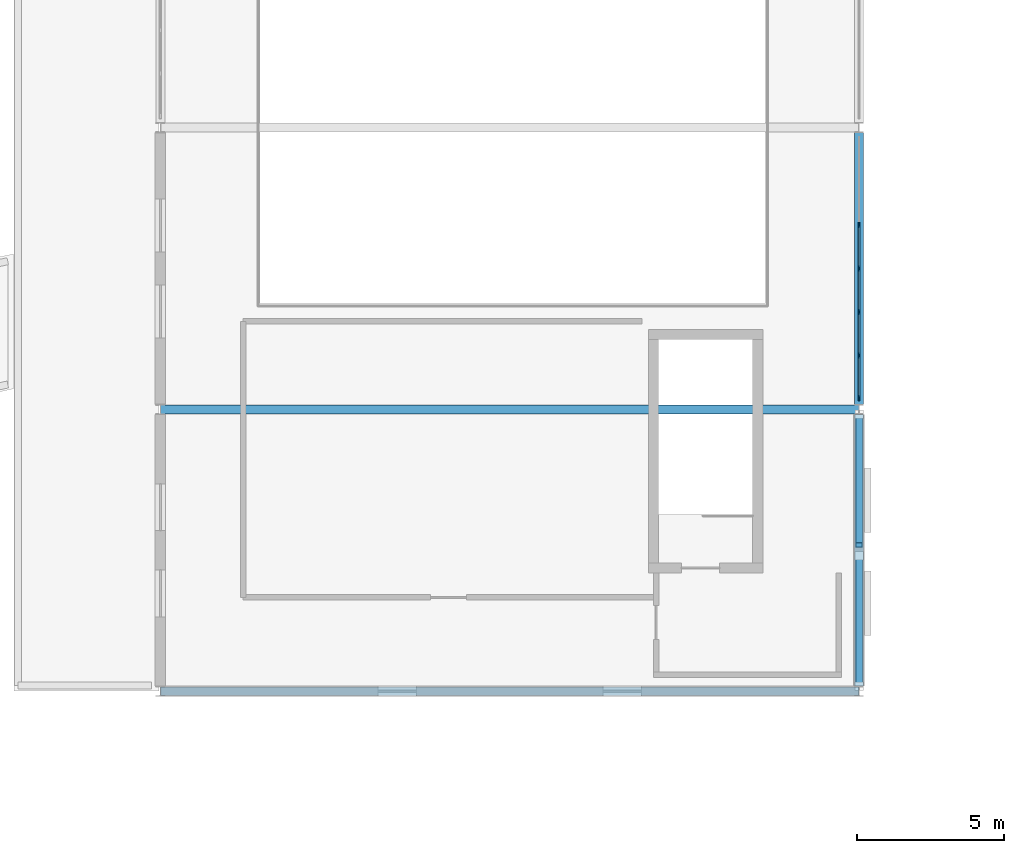
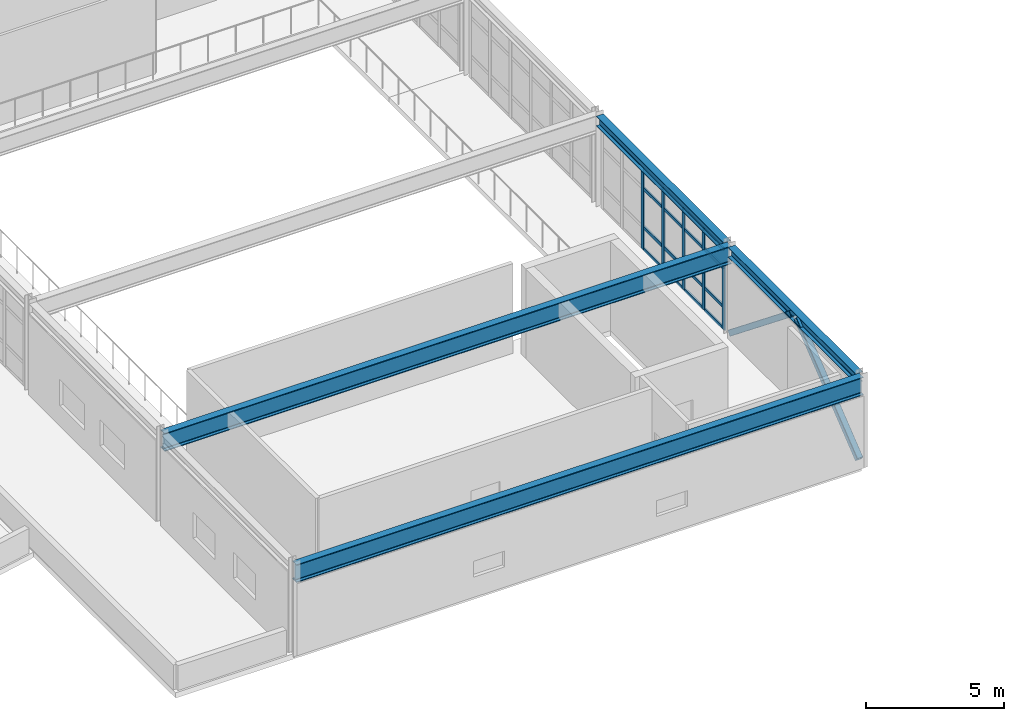
# One storey, part 23 of 76: 23 members, 4 beams, 1 element without a shape of its own.
"""IFC4 building model written with IfcOpenShell, lengths in metres."""

from ifc_helpers import new_model, si_unit, direction, frame, origin, origin_2d, place, context, subcontext, project, spatial, rectangle, hollow_rectangle, i_section, extrude, material, layer, layer_set, material_profile, profile_set, type_object, element, aggregate, save


model = new_model("IFC4")

# Units and contexts
model_context = context("Model", 3, precision=1e-05, world=origin(), true_north=direction((0.0, 1.0)))
body_context = subcontext(model_context, "Body", "Model", "MODEL_VIEW")
ifc_project = project(units=[si_unit("LENGTHUNIT", "METRE"), si_unit("AREAUNIT", "SQUARE_METRE"), si_unit("VOLUMEUNIT", "CUBIC_METRE"), si_unit("PLANEANGLEUNIT", "RADIAN"), si_unit("MASSUNIT", "GRAM", prefix="KILO")], contexts=[model_context])

# Site, building, storey
site_placement = place(None, origin())
site = spatial("IfcSite", under=ifc_project, at=site_placement, CompositionType="ELEMENT")
building_placement = place(site_placement, origin())
building = spatial("IfcBuilding", under=site, at=building_placement, Name="Nordkorset Police Headquarters", CompositionType="ELEMENT")
storey_placement = place(building_placement, frame((0.0, 0.0, 13.64990234375)))
storey = spatial("IfcBuildingStorey", under=building, at=storey_placement, Name="L03", CompositionType="ELEMENT", Elevation=13.64990234375)

# Members
ifc_material_1 = material(Name="Steel S355J2", Category="steel")
ifc_material_profile_1 = material_profile(ifc_material_1, hollow_rectangle(XDim=0.25, YDim=0.25, WallThickness=0.012451171875, InnerFilletRadius=0.012451171875, OuterFilletRadius=0.02490234375, at=origin_2d()), Name="SHS 250x250x12.5")
ifc_profile_set_1 = profile_set([ifc_material_profile_1], Name="Steel S355J2")
member_type_1 = type_object("IfcMemberType", Name="Brace_SHS_250x250x12.5", PredefinedType="BRACE", material=ifc_profile_set_1)
for number, where, z_axis, x_axis, name in (
    (1, (115.199951171875, 48.169921875, 0.2001953125), (0.0, 0.780898065567, 0.624658475644), (-1.0, 0.0, 0.0), "Lateral Chevron Brace BF-EXT-V5E0 L03 D1"),
    (2, (115.199951171875, 57.429931640625, 0.2001953125), (0.0, -0.780881348411, 0.624679373522), (1.0, 0.0, 0.0), "Lateral Chevron Brace BF-EXT-V5E0 L03 D2"),
):
    element("IfcMember", number, at=place(storey_placement, frame(where, z_axis=z_axis, x_axis=x_axis)), inside=storey, type_object=member_type_1, Name=name, PredefinedType="BRACE", context=body_context, shape_type="SweptSolid", body=[
        extrude(hollow_rectangle(XDim=0.25, YDim=0.25, WallThickness=0.012451171875, InnerFilletRadius=0.012451171875, OuterFilletRadius=0.02490234375, at=origin_2d()), origin(), (0.0, 0.0, 1.0), 5.69873046875),
    ])

# Curtain wall, members
ifc_material_2 = material(Name="Aluminium alloy AW-6060", Category="aluminium")
ifc_layer = layer(ifc_material_2, 0.179931640625, Name="Aluminium alloy AW-6060")
ifc_layer_set = layer_set([ifc_layer], Name="Aluminium alloy AW-6060")
curtain_wall_type = type_object("IfcCurtainWallType", Name="CW_Unit_888x356", PredefinedType="USERDEFINED", material=ifc_layer_set)
curtain_wall_placement = place(storey_placement, origin())
curtain_wall = element("IfcCurtainWall", 3, at=curtain_wall_placement, inside=storey, type_object=curtain_wall_type, Name="Unitised Curtain Wall L03 V5E-1", ObjectType="UNITISED CURTAIN WALL", PredefinedType="USERDEFINED")
ifc_material_3 = material(Name="Aluminium alloy AW-6060", Category="aluminium")
ifc_material_profile_2 = material_profile(ifc_material_3, rectangle(XDim=0.06494140625, YDim=0.179931640625, at=origin_2d()), Name="ALU MULL 65x180")
ifc_profile_set_2 = profile_set([ifc_material_profile_2], Name="Aluminium alloy AW-6060")
member_type_2 = type_object("IfcMemberType", Name="CW_Mullion_65x180", PredefinedType="MULLION", material=ifc_profile_set_2)
member_1_placement = place(storey_placement, frame((115.199951171875, 57.992431640625, 0.0), z_axis=(0.0, 0.0, 1.0), x_axis=(-1.0, 0.0, 0.0)))
member_1 = element("IfcMember", 4, at=member_1_placement, type_object=member_type_2, Name="CW-109 mullion 1", PredefinedType="MULLION", context=body_context, shape_type="SweptSolid", body=[
    extrude(rectangle(XDim=0.06494140625, YDim=0.179931640625, at=origin_2d()), origin(), (0.0, 0.0, 1.0), 3.565185546875),
])
member_2_placement = place(storey_placement, frame((115.199951171875, 59.43994140625, 0.0), z_axis=(0.0, 0.0, 1.0), x_axis=(-1.0, 0.0, 0.0)))
member_2 = element("IfcMember", 5, at=member_2_placement, type_object=member_type_2, Name="CW-109 mullion 2", PredefinedType="MULLION", context=body_context, shape_type="SweptSolid", body=[
    extrude(rectangle(XDim=0.06494140625, YDim=0.179931640625, at=origin_2d()), origin(), (0.0, 0.0, 1.0), 3.565185546875),
])
member_3_placement = place(storey_placement, frame((115.199951171875, 60.919921875, 0.0), z_axis=(0.0, 0.0, 1.0), x_axis=(-1.0, 0.0, 0.0)))
member_3 = element("IfcMember", 6, at=member_3_placement, type_object=member_type_2, Name="CW-109 mullion 3", PredefinedType="MULLION", context=body_context, shape_type="SweptSolid", body=[
    extrude(rectangle(XDim=0.06494140625, YDim=0.179931640625, at=origin_2d()), origin(), (0.0, 0.0, 1.0), 3.565185546875),
])
member_4_placement = place(storey_placement, frame((115.199951171875, 62.39990234375, 0.0), z_axis=(0.0, 0.0, 1.0), x_axis=(-1.0, 0.0, 0.0)))
member_4 = element("IfcMember", 7, at=member_4_placement, type_object=member_type_2, Name="CW-109 mullion 4", PredefinedType="MULLION", context=body_context, shape_type="SweptSolid", body=[
    extrude(rectangle(XDim=0.06494140625, YDim=0.179931640625, at=origin_2d()), origin(), (0.0, 0.0, 1.0), 3.565185546875),
])
member_5_placement = place(storey_placement, frame((115.199951171875, 63.8798828125, 0.0), z_axis=(0.0, 0.0, 1.0), x_axis=(-1.0, 0.0, 0.0)))
member_5 = element("IfcMember", 8, at=member_5_placement, type_object=member_type_2, Name="CW-109 mullion 5", PredefinedType="MULLION", context=body_context, shape_type="SweptSolid", body=[
    extrude(rectangle(XDim=0.06494140625, YDim=0.179931640625, at=origin_2d()), origin(), (0.0, 0.0, 1.0), 3.565185546875),
])
ifc_material_4 = material(Name="Aluminium alloy AW-6060", Category="aluminium")
ifc_material_profile_3 = material_profile(ifc_material_4, rectangle(XDim=0.06494140625, YDim=0.139892578125, at=origin_2d()), Name="ALU TRAN 65x140")
ifc_profile_set_3 = profile_set([ifc_material_profile_3], Name="Aluminium alloy AW-6060")
member_type_3 = type_object("IfcMemberType", Name="CW_Transom_65x140", PredefinedType="USERDEFINED", material=ifc_profile_set_3)
member_6_placement = place(storey_placement, frame((115.199951171875, 58.02490234375, 0.03271484375), z_axis=(0.0, 1.0, 0.0), x_axis=(-1.0, 0.0, 0.0)))
member_6 = element("IfcMember", 9, at=member_6_placement, type_object=member_type_3, Name="CW-109 transom 1.1", ObjectType="TRANSOM", PredefinedType="USERDEFINED", context=body_context, shape_type="SweptSolid", body=[
    extrude(rectangle(XDim=0.06494140625, YDim=0.139892578125, at=origin_2d()), origin(), (0.0, 0.0, 1.0), 1.382568359375),
])
member_7_placement = place(storey_placement, frame((115.199951171875, 58.02490234375, 1.0), z_axis=(0.0, 1.0, 0.0), x_axis=(-1.0, 0.0, 0.0)))
member_7 = element("IfcMember", 10, at=member_7_placement, type_object=member_type_3, Name="CW-109 transom 1.2", ObjectType="TRANSOM", PredefinedType="USERDEFINED", context=body_context, shape_type="SweptSolid", body=[
    extrude(rectangle(XDim=0.06494140625, YDim=0.139892578125, at=origin_2d()), origin(), (0.0, 0.0, 1.0), 1.382568359375),
])
member_8_placement = place(storey_placement, frame((115.199951171875, 58.02490234375, 2.715087890625), z_axis=(0.0, 1.0, 0.0), x_axis=(-1.0, 0.0, 0.0)))
member_8 = element("IfcMember", 11, at=member_8_placement, type_object=member_type_3, Name="CW-109 transom 1.3", ObjectType="TRANSOM", PredefinedType="USERDEFINED", context=body_context, shape_type="SweptSolid", body=[
    extrude(rectangle(XDim=0.06494140625, YDim=0.139892578125, at=origin_2d()), origin(), (0.0, 0.0, 1.0), 1.382568359375),
])
member_9_placement = place(storey_placement, frame((115.199951171875, 58.02490234375, 3.53271484375), z_axis=(0.0, 1.0, 0.0), x_axis=(-1.0, 0.0, 0.0)))
member_9 = element("IfcMember", 12, at=member_9_placement, type_object=member_type_3, Name="CW-109 transom 1.4", ObjectType="TRANSOM", PredefinedType="USERDEFINED", context=body_context, shape_type="SweptSolid", body=[
    extrude(rectangle(XDim=0.06494140625, YDim=0.139892578125, at=origin_2d()), origin(), (0.0, 0.0, 1.0), 1.382568359375),
])
member_10_placement = place(storey_placement, frame((115.199951171875, 59.472412109375, 0.03271484375), z_axis=(0.0, 1.0, 0.0), x_axis=(-1.0, 0.0, 0.0)))
member_10 = element("IfcMember", 13, at=member_10_placement, type_object=member_type_3, Name="CW-109 transom 2.1", ObjectType="TRANSOM", PredefinedType="USERDEFINED", context=body_context, shape_type="SweptSolid", body=[
    extrude(rectangle(XDim=0.06494140625, YDim=0.139892578125, at=origin_2d()), origin(), (0.0, 0.0, 1.0), 1.4150390625),
])
member_11_placement = place(storey_placement, frame((115.199951171875, 59.472412109375, 1.0), z_axis=(0.0, 1.0, 0.0), x_axis=(-1.0, 0.0, 0.0)))
member_11 = element("IfcMember", 14, at=member_11_placement, type_object=member_type_3, Name="CW-109 transom 2.2", ObjectType="TRANSOM", PredefinedType="USERDEFINED", context=body_context, shape_type="SweptSolid", body=[
    extrude(rectangle(XDim=0.06494140625, YDim=0.139892578125, at=origin_2d()), origin(), (0.0, 0.0, 1.0), 1.4150390625),
])
member_12_placement = place(storey_placement, frame((115.199951171875, 59.472412109375, 2.715087890625), z_axis=(0.0, 1.0, 0.0), x_axis=(-1.0, 0.0, 0.0)))
member_12 = element("IfcMember", 15, at=member_12_placement, type_object=member_type_3, Name="CW-109 transom 2.3", ObjectType="TRANSOM", PredefinedType="USERDEFINED", context=body_context, shape_type="SweptSolid", body=[
    extrude(rectangle(XDim=0.06494140625, YDim=0.139892578125, at=origin_2d()), origin(), (0.0, 0.0, 1.0), 1.4150390625),
])
member_13_placement = place(storey_placement, frame((115.199951171875, 59.472412109375, 3.53271484375), z_axis=(0.0, 1.0, 0.0), x_axis=(-1.0, 0.0, 0.0)))
member_13 = element("IfcMember", 16, at=member_13_placement, type_object=member_type_3, Name="CW-109 transom 2.4", ObjectType="TRANSOM", PredefinedType="USERDEFINED", context=body_context, shape_type="SweptSolid", body=[
    extrude(rectangle(XDim=0.06494140625, YDim=0.139892578125, at=origin_2d()), origin(), (0.0, 0.0, 1.0), 1.4150390625),
])
member_14_placement = place(storey_placement, frame((115.199951171875, 60.952392578125, 0.03271484375), z_axis=(0.0, 1.0, 0.0), x_axis=(-1.0, 0.0, 0.0)))
member_14 = element("IfcMember", 17, at=member_14_placement, type_object=member_type_3, Name="CW-109 transom 3.1", ObjectType="TRANSOM", PredefinedType="USERDEFINED", context=body_context, shape_type="SweptSolid", body=[
    extrude(rectangle(XDim=0.06494140625, YDim=0.139892578125, at=origin_2d()), origin(), (0.0, 0.0, 1.0), 1.4150390625),
])
member_15_placement = place(storey_placement, frame((115.199951171875, 60.952392578125, 1.0), z_axis=(0.0, 1.0, 0.0), x_axis=(-1.0, 0.0, 0.0)))
member_15 = element("IfcMember", 18, at=member_15_placement, type_object=member_type_3, Name="CW-109 transom 3.2", ObjectType="TRANSOM", PredefinedType="USERDEFINED", context=body_context, shape_type="SweptSolid", body=[
    extrude(rectangle(XDim=0.06494140625, YDim=0.139892578125, at=origin_2d()), origin(), (0.0, 0.0, 1.0), 1.4150390625),
])
member_16_placement = place(storey_placement, frame((115.199951171875, 60.952392578125, 2.715087890625), z_axis=(0.0, 1.0, 0.0), x_axis=(-1.0, 0.0, 0.0)))
member_16 = element("IfcMember", 19, at=member_16_placement, type_object=member_type_3, Name="CW-109 transom 3.3", ObjectType="TRANSOM", PredefinedType="USERDEFINED", context=body_context, shape_type="SweptSolid", body=[
    extrude(rectangle(XDim=0.06494140625, YDim=0.139892578125, at=origin_2d()), origin(), (0.0, 0.0, 1.0), 1.4150390625),
])
member_17_placement = place(storey_placement, frame((115.199951171875, 60.952392578125, 3.53271484375), z_axis=(0.0, 1.0, 0.0), x_axis=(-1.0, 0.0, 0.0)))
member_17 = element("IfcMember", 20, at=member_17_placement, type_object=member_type_3, Name="CW-109 transom 3.4", ObjectType="TRANSOM", PredefinedType="USERDEFINED", context=body_context, shape_type="SweptSolid", body=[
    extrude(rectangle(XDim=0.06494140625, YDim=0.139892578125, at=origin_2d()), origin(), (0.0, 0.0, 1.0), 1.4150390625),
])
member_18_placement = place(storey_placement, frame((115.199951171875, 62.4326171875, 0.03271484375), z_axis=(0.0, 1.0, 0.0), x_axis=(-1.0, 0.0, 0.0)))
member_18 = element("IfcMember", 21, at=member_18_placement, type_object=member_type_3, Name="CW-109 transom 4.1", ObjectType="TRANSOM", PredefinedType="USERDEFINED", context=body_context, shape_type="SweptSolid", body=[
    extrude(rectangle(XDim=0.06494140625, YDim=0.139892578125, at=origin_2d()), origin(), (0.0, 0.0, 1.0), 1.414794921875),
])
member_19_placement = place(storey_placement, frame((115.199951171875, 62.4326171875, 1.0), z_axis=(0.0, 1.0, 0.0), x_axis=(-1.0, 0.0, 0.0)))
member_19 = element("IfcMember", 22, at=member_19_placement, type_object=member_type_3, Name="CW-109 transom 4.2", ObjectType="TRANSOM", PredefinedType="USERDEFINED", context=body_context, shape_type="SweptSolid", body=[
    extrude(rectangle(XDim=0.06494140625, YDim=0.139892578125, at=origin_2d()), origin(), (0.0, 0.0, 1.0), 1.414794921875),
])
member_20_placement = place(storey_placement, frame((115.199951171875, 62.4326171875, 2.715087890625), z_axis=(0.0, 1.0, 0.0), x_axis=(-1.0, 0.0, 0.0)))
member_20 = element("IfcMember", 23, at=member_20_placement, type_object=member_type_3, Name="CW-109 transom 4.3", ObjectType="TRANSOM", PredefinedType="USERDEFINED", context=body_context, shape_type="SweptSolid", body=[
    extrude(rectangle(XDim=0.06494140625, YDim=0.139892578125, at=origin_2d()), origin(), (0.0, 0.0, 1.0), 1.414794921875),
])
member_21_placement = place(storey_placement, frame((115.199951171875, 62.4326171875, 3.53271484375), z_axis=(0.0, 1.0, 0.0), x_axis=(-1.0, 0.0, 0.0)))
member_21 = element("IfcMember", 24, at=member_21_placement, type_object=member_type_3, Name="CW-109 transom 4.4", ObjectType="TRANSOM", PredefinedType="USERDEFINED", context=body_context, shape_type="SweptSolid", body=[
    extrude(rectangle(XDim=0.06494140625, YDim=0.139892578125, at=origin_2d()), origin(), (0.0, 0.0, 1.0), 1.414794921875),
])
aggregate(curtain_wall, [member_1, member_2, member_3, member_4, member_5, member_6, member_7, member_8, member_9, member_10, member_11, member_12, member_13, member_14, member_15, member_16, member_17, member_18, member_19, member_20, member_21])

# Beams
ifc_material_5 = material(Name="Steel S355J2", Category="steel")
ifc_material_profile_4 = material_profile(ifc_material_5, i_section(OverallWidth=0.300048828125, OverallDepth=0.43994140625, WebThickness=0.011474609375, FlangeThickness=0.02099609375, FilletRadius=0.027099609375, at=origin_2d()), Name="HEA 450")
ifc_profile_set_4 = profile_set([ifc_material_profile_4], Name="Steel S355J2")
beam_type_1 = type_object("IfcBeamType", Name="Girder_HEA_450", PredefinedType="USERDEFINED", material=ifc_profile_set_4)
for number, where, z_axis, x_axis, name in (
    (25, (115.199951171875, 48.169921875, 3.80517578125), (0.0, 1.0, 0.0), (-1.0, 0.0, 0.0), "Girder V5 L03 GY-1-0"),
    (26, (115.199951171875, 57.77001953125, 3.80517578125), (0.0, 1.0, 0.0), (-1.0, 0.0, 0.0), "Girder V5 L03 GY-1-1"),
):
    element("IfcBeam", number, at=place(storey_placement, frame(where, z_axis=z_axis, x_axis=x_axis)), inside=storey, type_object=beam_type_1, Name=name, ObjectType="GIRDER", PredefinedType="USERDEFINED", context=body_context, shape_type="SweptSolid", body=[
        extrude(i_section(OverallWidth=0.300048828125, OverallDepth=0.43994140625, WebThickness=0.011474609375, FlangeThickness=0.02099609375, FilletRadius=0.027099609375, at=origin_2d()), origin(), (0.0, 0.0, 1.0), 9.260009765625),
    ])
ifc_material_6 = material(Name="Steel S355J2", Category="steel")
ifc_material_profile_5 = material_profile(ifc_material_6, i_section(OverallWidth=0.300048828125, OverallDepth=0.800048828125, WebThickness=0.017578125, FlangeThickness=0.032958984375, FilletRadius=0.030029296875, at=origin_2d()), Name="HEB 800")
ifc_profile_set_5 = profile_set([ifc_material_profile_5], Name="Steel S355J2")
beam_type_2 = type_object("IfcBeamType", Name="Girder_HEB_800", PredefinedType="USERDEFINED", material=ifc_profile_set_5)
for number, where, z_axis, x_axis, name in (
    (27, (91.406005859375, 48.0, 3.625), (1.0, 0.0, 0.0), (0.0, 1.0, 0.0), "Girder V5 L03 GX-0-0"),
    (28, (91.406005859375, 57.60009765625, 3.625), (1.0, 0.0, 0.0), (0.0, 1.0, 0.0), "Girder V5 L03 GX-1-0"),
):
    element("IfcBeam", number, at=place(storey_placement, frame(where, z_axis=z_axis, x_axis=x_axis)), inside=storey, type_object=beam_type_2, Name=name, ObjectType="GIRDER", PredefinedType="USERDEFINED", context=body_context, shape_type="SweptSolid", body=[
        extrude(i_section(OverallWidth=0.300048828125, OverallDepth=0.800048828125, WebThickness=0.017578125, FlangeThickness=0.032958984375, FilletRadius=0.030029296875, at=origin_2d()), origin(), (0.0, 0.0, 1.0), 23.7880859375),
    ])

save(model, "model.ifc")
